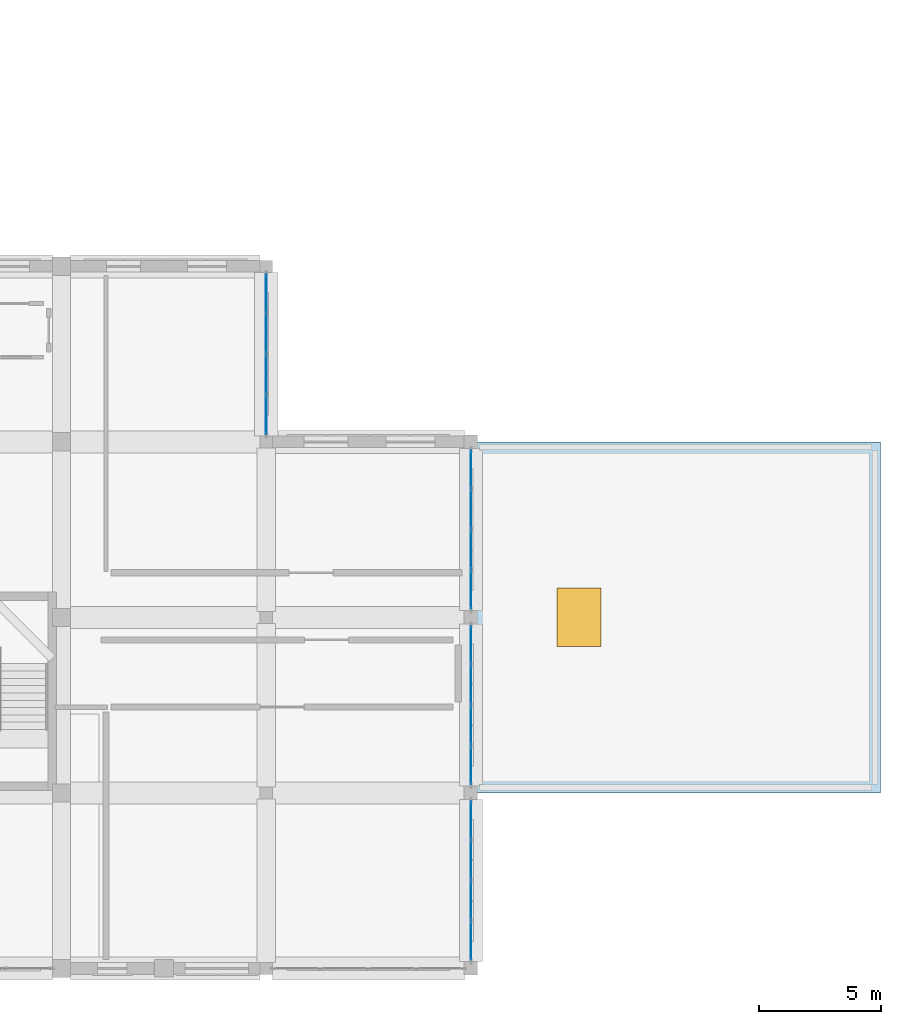
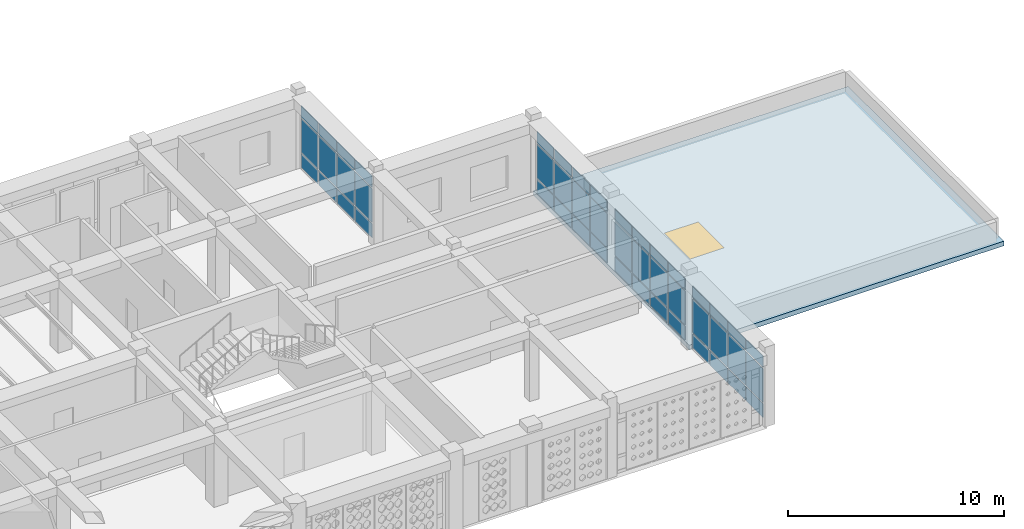
# One storey, part 54 of 111: 48 plates, 1 slab, 1 window, 1 opening, 4 elements without a shape of their own.
"""IFC4 building model written with IfcOpenShell, lengths in metres."""

from ifc_helpers import new_model, si_unit, derived_unit, direction, frame, origin, origin_2d, place, context, subcontext, project, spatial, polyline, rectangle, outline, extrude, material, layer, layer_set, type_object, element, fill, aggregate, save


model = new_model("IFC4")

# Units and contexts
model_context = context("Model", 3, precision=1e-05, world=origin(), true_north=direction((0.0, 1.0)))
body_context = subcontext(model_context, "Body", "Model", "MODEL_VIEW")
ifc_project = project(units=[si_unit("LENGTHUNIT", "METRE"), si_unit("AREAUNIT", "SQUARE_METRE"), si_unit("VOLUMEUNIT", "CUBIC_METRE"), si_unit("PLANEANGLEUNIT", "RADIAN"), si_unit("MASSUNIT", "GRAM", prefix="KILO"), derived_unit("THERMALTRANSMITTANCEUNIT", [(si_unit("POWERUNIT", "WATT"), 1), (si_unit("LENGTHUNIT", "METRE"), -2), (si_unit("THERMODYNAMICTEMPERATUREUNIT", "KELVIN"), -1)])], contexts=[model_context])

# Site, building, storey
site_placement = place(None, origin())
site = spatial("IfcSite", under=ifc_project, at=site_placement, CompositionType="ELEMENT")
building_placement = place(site_placement, origin())
building = spatial("IfcBuilding", under=site, at=building_placement, Name="Veybourne Emporium", CompositionType="ELEMENT")
storey_placement = place(building_placement, frame((0.0, 0.0, 9.89990234375)))
storey = spatial("IfcBuildingStorey", under=building, at=storey_placement, Name="L02", CompositionType="ELEMENT", Elevation=9.89990234375)

# Curtain wall, plates
ifc_material_1 = material(Name="Patinated Architectural Bronze", Category="bronze")
curtain_wall_type_1 = type_object("IfcCurtainWallType", Name="CWSystem_CWS-28", PredefinedType="NOTDEFINED", material=ifc_material_1)
curtain_wall_1_placement = place(storey_placement, origin())
curtain_wall_1 = element("IfcCurtainWall", 1, at=curtain_wall_1_placement, inside=storey, type_object=curtain_wall_type_1, Name="L02 bronze glazed curtain wall CWS-28 (070)", PredefinedType="NOTDEFINED")
ifc_material_2 = material(Name="Low-E Triple Glazing", Category="glass")
ifc_layer_1 = layer(ifc_material_2, 0.028076171875)
ifc_layer_set_1 = layer_set([ifc_layer_1], Name="Low-E Triple Glazing")
plate_type = type_object("IfcPlateType", Name="CWPanel_CW-P1", PredefinedType="CURTAIN_PANEL", material=ifc_layer_set_1)
plate_1_placement = place(storey_placement, frame((142.800048828125, 27.695068359375, 0.070068359375), z_axis=(0.0, 0.0, 1.0), x_axis=(0.0, -1.0, 0.0)))
plate_1 = element("IfcPlate", 2, at=plate_1_placement, type_object=plate_type, Name="CWS-28 panel 1.1", PredefinedType="CURTAIN_PANEL", context=body_context, shape_type="SweptSolid", body=[
    extrude(rectangle(XDim=1.570068359375, YDim=0.028076171875, at=origin_2d()), origin(), (0.0, 0.0, 1.0), 0.794921875),
])
plate_2_placement = place(storey_placement, frame((142.800048828125, 27.695068359375, 0.93505859375), z_axis=(0.0, 0.0, 1.0), x_axis=(0.0, -1.0, 0.0)))
plate_2 = element("IfcPlate", 3, at=plate_2_placement, type_object=plate_type, Name="CWS-28 panel 1.2", PredefinedType="CURTAIN_PANEL", context=body_context, shape_type="SweptSolid", body=[
    extrude(rectangle(XDim=1.570068359375, YDim=0.028076171875, at=origin_2d()), origin(), (0.0, 0.0, 1.0), 1.909912109375),
])
plate_3_placement = place(storey_placement, frame((142.800048828125, 27.695068359375, 2.9150390625), z_axis=(0.0, 0.0, 1.0), x_axis=(0.0, -1.0, 0.0)))
plate_3 = element("IfcPlate", 4, at=plate_3_placement, type_object=plate_type, Name="CWS-28 panel 1.3", PredefinedType="CURTAIN_PANEL", context=body_context, shape_type="SweptSolid", body=[
    extrude(rectangle(XDim=1.570068359375, YDim=0.028076171875, at=origin_2d()), origin(), (0.0, 0.0, 1.0), 0.64501953125),
])
plate_4_placement = place(storey_placement, frame((142.800048828125, 26.03759765625, 0.070068359375), z_axis=(0.0, 0.0, 1.0), x_axis=(0.0, -1.0, 0.0)))
plate_4 = element("IfcPlate", 5, at=plate_4_placement, type_object=plate_type, Name="CWS-28 panel 2.1", PredefinedType="CURTAIN_PANEL", context=body_context, shape_type="SweptSolid", body=[
    extrude(rectangle(XDim=1.60498046875, YDim=0.028076171875, at=origin_2d()), origin(), (0.0, 0.0, 1.0), 0.794921875),
])
plate_5_placement = place(storey_placement, frame((142.800048828125, 26.03759765625, 0.93505859375), z_axis=(0.0, 0.0, 1.0), x_axis=(0.0, -1.0, 0.0)))
plate_5 = element("IfcPlate", 6, at=plate_5_placement, type_object=plate_type, Name="CWS-28 panel 2.2", PredefinedType="CURTAIN_PANEL", context=body_context, shape_type="SweptSolid", body=[
    extrude(rectangle(XDim=1.60498046875, YDim=0.028076171875, at=origin_2d()), origin(), (0.0, 0.0, 1.0), 1.909912109375),
])
plate_6_placement = place(storey_placement, frame((142.800048828125, 26.03759765625, 2.9150390625), z_axis=(0.0, 0.0, 1.0), x_axis=(0.0, -1.0, 0.0)))
plate_6 = element("IfcPlate", 7, at=plate_6_placement, type_object=plate_type, Name="CWS-28 panel 2.3", PredefinedType="CURTAIN_PANEL", context=body_context, shape_type="SweptSolid", body=[
    extrude(rectangle(XDim=1.60498046875, YDim=0.028076171875, at=origin_2d()), origin(), (0.0, 0.0, 1.0), 0.64501953125),
])
plate_7_placement = place(storey_placement, frame((142.800048828125, 24.362548828125, 0.070068359375), z_axis=(0.0, 0.0, 1.0), x_axis=(0.0, -1.0, 0.0)))
plate_7 = element("IfcPlate", 8, at=plate_7_placement, type_object=plate_type, Name="CWS-28 panel 3.1", PredefinedType="CURTAIN_PANEL", context=body_context, shape_type="SweptSolid", body=[
    extrude(rectangle(XDim=1.60498046875, YDim=0.028076171875, at=origin_2d()), origin(), (0.0, 0.0, 1.0), 0.794921875),
])
plate_8_placement = place(storey_placement, frame((142.800048828125, 24.362548828125, 0.93505859375), z_axis=(0.0, 0.0, 1.0), x_axis=(0.0, -1.0, 0.0)))
plate_8 = element("IfcPlate", 9, at=plate_8_placement, type_object=plate_type, Name="CWS-28 panel 3.2", PredefinedType="CURTAIN_PANEL", context=body_context, shape_type="SweptSolid", body=[
    extrude(rectangle(XDim=1.60498046875, YDim=0.028076171875, at=origin_2d()), origin(), (0.0, 0.0, 1.0), 1.909912109375),
])
plate_9_placement = place(storey_placement, frame((142.800048828125, 24.362548828125, 2.9150390625), z_axis=(0.0, 0.0, 1.0), x_axis=(0.0, -1.0, 0.0)))
plate_9 = element("IfcPlate", 10, at=plate_9_placement, type_object=plate_type, Name="CWS-28 panel 3.3", PredefinedType="CURTAIN_PANEL", context=body_context, shape_type="SweptSolid", body=[
    extrude(rectangle(XDim=1.60498046875, YDim=0.028076171875, at=origin_2d()), origin(), (0.0, 0.0, 1.0), 0.64501953125),
])
plate_10_placement = place(storey_placement, frame((142.800048828125, 22.705078125, 0.070068359375), z_axis=(0.0, 0.0, 1.0), x_axis=(0.0, -1.0, 0.0)))
plate_10 = element("IfcPlate", 11, at=plate_10_placement, type_object=plate_type, Name="CWS-28 panel 4.1", PredefinedType="CURTAIN_PANEL", context=body_context, shape_type="SweptSolid", body=[
    extrude(rectangle(XDim=1.570068359375, YDim=0.028076171875, at=origin_2d()), origin(), (0.0, 0.0, 1.0), 0.794921875),
])
plate_11_placement = place(storey_placement, frame((142.800048828125, 22.705078125, 0.93505859375), z_axis=(0.0, 0.0, 1.0), x_axis=(0.0, -1.0, 0.0)))
plate_11 = element("IfcPlate", 12, at=plate_11_placement, type_object=plate_type, Name="CWS-28 panel 4.2", PredefinedType="CURTAIN_PANEL", context=body_context, shape_type="SweptSolid", body=[
    extrude(rectangle(XDim=1.570068359375, YDim=0.028076171875, at=origin_2d()), origin(), (0.0, 0.0, 1.0), 1.909912109375),
])
plate_12_placement = place(storey_placement, frame((142.800048828125, 22.705078125, 2.9150390625), z_axis=(0.0, 0.0, 1.0), x_axis=(0.0, -1.0, 0.0)))
plate_12 = element("IfcPlate", 13, at=plate_12_placement, type_object=plate_type, Name="CWS-28 panel 4.3", PredefinedType="CURTAIN_PANEL", context=body_context, shape_type="SweptSolid", body=[
    extrude(rectangle(XDim=1.570068359375, YDim=0.028076171875, at=origin_2d()), origin(), (0.0, 0.0, 1.0), 0.64501953125),
])
aggregate(curtain_wall_1, [plate_1, plate_2, plate_3, plate_4, plate_5, plate_6, plate_7, plate_8, plate_9, plate_10, plate_11, plate_12])

curtain_wall_type_2 = type_object("IfcCurtainWallType", Name="CWSystem_CWS-02", PredefinedType="NOTDEFINED", material=ifc_material_1)
curtain_wall_2_placement = place(storey_placement, origin())
curtain_wall_2 = element("IfcCurtainWall", 14, at=curtain_wall_2_placement, inside=storey, type_object=curtain_wall_type_2, Name="L02 bronze glazed curtain wall CWS-02 (073)", PredefinedType="NOTDEFINED")
plate_13_placement = place(storey_placement, frame((151.199951171875, 6.074951171875, 0.074951171875), z_axis=(0.0, 0.0, 1.0), x_axis=(0.0, -1.0, 0.0)))
plate_13 = element("IfcPlate", 15, at=plate_13_placement, type_object=plate_type, Name="CWS-02 panel 1.1", PredefinedType="CURTAIN_PANEL", context=body_context, shape_type="SweptSolid", body=[
    extrude(rectangle(XDim=1.550048828125, YDim=0.028076171875, at=origin_2d()), origin(), (0.0, 0.0, 1.0), 0.78759765625),
])
plate_14_placement = place(storey_placement, frame((151.199951171875, 6.074951171875, 0.9375), z_axis=(0.0, 0.0, 1.0), x_axis=(0.0, -1.0, 0.0)))
plate_14 = element("IfcPlate", 16, at=plate_14_placement, type_object=plate_type, Name="CWS-02 panel 1.2", PredefinedType="CURTAIN_PANEL", context=body_context, shape_type="SweptSolid", body=[
    extrude(rectangle(XDim=1.550048828125, YDim=0.028076171875, at=origin_2d()), origin(), (0.0, 0.0, 1.0), 1.905029296875),
])
plate_15_placement = place(storey_placement, frame((151.199951171875, 6.074951171875, 2.91748046875), z_axis=(0.0, 0.0, 1.0), x_axis=(0.0, -1.0, 0.0)))
plate_15 = element("IfcPlate", 17, at=plate_15_placement, type_object=plate_type, Name="CWS-02 panel 1.3", PredefinedType="CURTAIN_PANEL", context=body_context, shape_type="SweptSolid", body=[
    extrude(rectangle(XDim=1.550048828125, YDim=0.028076171875, at=origin_2d()), origin(), (0.0, 0.0, 1.0), 0.637451171875),
])
plate_16_placement = place(storey_placement, frame((151.199951171875, 4.43115234375, 0.074951171875), z_axis=(0.0, 0.0, 1.0), x_axis=(0.0, -1.0, 0.0)))
plate_16 = element("IfcPlate", 18, at=plate_16_placement, type_object=plate_type, Name="CWS-02 panel 2.1", PredefinedType="CURTAIN_PANEL", context=body_context, shape_type="SweptSolid", body=[
    extrude(rectangle(XDim=1.58740234375, YDim=0.028076171875, at=origin_2d()), origin(), (0.0, 0.0, 1.0), 0.78759765625),
])
plate_17_placement = place(storey_placement, frame((151.199951171875, 4.43115234375, 0.9375), z_axis=(0.0, 0.0, 1.0), x_axis=(0.0, -1.0, 0.0)))
plate_17 = element("IfcPlate", 19, at=plate_17_placement, type_object=plate_type, Name="CWS-02 panel 2.2", PredefinedType="CURTAIN_PANEL", context=body_context, shape_type="SweptSolid", body=[
    extrude(rectangle(XDim=1.58740234375, YDim=0.028076171875, at=origin_2d()), origin(), (0.0, 0.0, 1.0), 1.905029296875),
])
plate_18_placement = place(storey_placement, frame((151.199951171875, 4.43115234375, 2.91748046875), z_axis=(0.0, 0.0, 1.0), x_axis=(0.0, -1.0, 0.0)))
plate_18 = element("IfcPlate", 20, at=plate_18_placement, type_object=plate_type, Name="CWS-02 panel 2.3", PredefinedType="CURTAIN_PANEL", context=body_context, shape_type="SweptSolid", body=[
    extrude(rectangle(XDim=1.58740234375, YDim=0.028076171875, at=origin_2d()), origin(), (0.0, 0.0, 1.0), 0.637451171875),
])
plate_19_placement = place(storey_placement, frame((151.199951171875, 2.768798828125, 0.074951171875), z_axis=(0.0, 0.0, 1.0), x_axis=(0.0, -1.0, 0.0)))
plate_19 = element("IfcPlate", 21, at=plate_19_placement, type_object=plate_type, Name="CWS-02 panel 3.1", PredefinedType="CURTAIN_PANEL", context=body_context, shape_type="SweptSolid", body=[
    extrude(rectangle(XDim=1.58740234375, YDim=0.028076171875, at=origin_2d()), origin(), (0.0, 0.0, 1.0), 0.78759765625),
])
plate_20_placement = place(storey_placement, frame((151.199951171875, 2.768798828125, 0.9375), z_axis=(0.0, 0.0, 1.0), x_axis=(0.0, -1.0, 0.0)))
plate_20 = element("IfcPlate", 22, at=plate_20_placement, type_object=plate_type, Name="CWS-02 panel 3.2", PredefinedType="CURTAIN_PANEL", context=body_context, shape_type="SweptSolid", body=[
    extrude(rectangle(XDim=1.58740234375, YDim=0.028076171875, at=origin_2d()), origin(), (0.0, 0.0, 1.0), 1.905029296875),
])
plate_21_placement = place(storey_placement, frame((151.199951171875, 2.768798828125, 2.91748046875), z_axis=(0.0, 0.0, 1.0), x_axis=(0.0, -1.0, 0.0)))
plate_21 = element("IfcPlate", 23, at=plate_21_placement, type_object=plate_type, Name="CWS-02 panel 3.3", PredefinedType="CURTAIN_PANEL", context=body_context, shape_type="SweptSolid", body=[
    extrude(rectangle(XDim=1.58740234375, YDim=0.028076171875, at=origin_2d()), origin(), (0.0, 0.0, 1.0), 0.637451171875),
])
plate_22_placement = place(storey_placement, frame((151.199951171875, 1.125, 0.074951171875), z_axis=(0.0, 0.0, 1.0), x_axis=(0.0, -1.0, 0.0)))
plate_22 = element("IfcPlate", 24, at=plate_22_placement, type_object=plate_type, Name="CWS-02 panel 4.1", PredefinedType="CURTAIN_PANEL", context=body_context, shape_type="SweptSolid", body=[
    extrude(rectangle(XDim=1.550048828125, YDim=0.028076171875, at=origin_2d()), origin(), (0.0, 0.0, 1.0), 0.78759765625),
])
plate_23_placement = place(storey_placement, frame((151.199951171875, 1.125, 0.9375), z_axis=(0.0, 0.0, 1.0), x_axis=(0.0, -1.0, 0.0)))
plate_23 = element("IfcPlate", 25, at=plate_23_placement, type_object=plate_type, Name="CWS-02 panel 4.2", PredefinedType="CURTAIN_PANEL", context=body_context, shape_type="SweptSolid", body=[
    extrude(rectangle(XDim=1.550048828125, YDim=0.028076171875, at=origin_2d()), origin(), (0.0, 0.0, 1.0), 1.905029296875),
])
plate_24_placement = place(storey_placement, frame((151.199951171875, 1.125, 2.91748046875), z_axis=(0.0, 0.0, 1.0), x_axis=(0.0, -1.0, 0.0)))
plate_24 = element("IfcPlate", 26, at=plate_24_placement, type_object=plate_type, Name="CWS-02 panel 4.3", PredefinedType="CURTAIN_PANEL", context=body_context, shape_type="SweptSolid", body=[
    extrude(rectangle(XDim=1.550048828125, YDim=0.028076171875, at=origin_2d()), origin(), (0.0, 0.0, 1.0), 0.637451171875),
])
aggregate(curtain_wall_2, [plate_13, plate_14, plate_15, plate_16, plate_17, plate_18, plate_19, plate_20, plate_21, plate_22, plate_23, plate_24])

curtain_wall_type_3 = type_object("IfcCurtainWallType", Name="CWSystem_CWS-03", PredefinedType="NOTDEFINED", material=ifc_material_1)
curtain_wall_3_placement = place(storey_placement, origin())
curtain_wall_3 = element("IfcCurtainWall", 27, at=curtain_wall_3_placement, inside=storey, type_object=curtain_wall_type_3, Name="L02 bronze glazed curtain wall CWS-03 (074)", PredefinedType="NOTDEFINED")
plate_25_placement = place(storey_placement, frame((151.199951171875, 13.274169921875, 0.078125), z_axis=(0.0, 0.0, 1.0), x_axis=(0.0, -1.0, 0.0)))
plate_25 = element("IfcPlate", 28, at=plate_25_placement, type_object=plate_type, Name="CWS-03 panel 1.1", PredefinedType="CURTAIN_PANEL", context=body_context, shape_type="SweptSolid", body=[
    extrude(rectangle(XDim=1.54541015625, YDim=0.028076171875, at=origin_2d()), origin(), (0.0, 0.0, 1.0), 0.782958984375),
])
plate_26_placement = place(storey_placement, frame((151.199951171875, 13.274169921875, 0.93896484375), z_axis=(0.0, 0.0, 1.0), x_axis=(0.0, -1.0, 0.0)))
plate_26 = element("IfcPlate", 29, at=plate_26_placement, type_object=plate_type, Name="CWS-03 panel 1.2", PredefinedType="CURTAIN_PANEL", context=body_context, shape_type="SweptSolid", body=[
    extrude(rectangle(XDim=1.54541015625, YDim=0.028076171875, at=origin_2d()), origin(), (0.0, 0.0, 1.0), 1.902099609375),
])
plate_27_placement = place(storey_placement, frame((151.199951171875, 13.274169921875, 2.9189453125), z_axis=(0.0, 0.0, 1.0), x_axis=(0.0, -1.0, 0.0)))
plate_27 = element("IfcPlate", 30, at=plate_27_placement, type_object=plate_type, Name="CWS-03 panel 1.3", PredefinedType="CURTAIN_PANEL", context=body_context, shape_type="SweptSolid", body=[
    extrude(rectangle(XDim=1.54541015625, YDim=0.028076171875, at=origin_2d()), origin(), (0.0, 0.0, 1.0), 0.633056640625),
])
plate_28_placement = place(storey_placement, frame((151.199951171875, 11.63134765625, 0.078125), z_axis=(0.0, 0.0, 1.0), x_axis=(0.0, -1.0, 0.0)))
plate_28 = element("IfcPlate", 31, at=plate_28_placement, type_object=plate_type, Name="CWS-03 panel 2.1", PredefinedType="CURTAIN_PANEL", context=body_context, shape_type="SweptSolid", body=[
    extrude(rectangle(XDim=1.58447265625, YDim=0.028076171875, at=origin_2d()), origin(), (0.0, 0.0, 1.0), 0.782958984375),
])
plate_29_placement = place(storey_placement, frame((151.199951171875, 11.63134765625, 0.93896484375), z_axis=(0.0, 0.0, 1.0), x_axis=(0.0, -1.0, 0.0)))
plate_29 = element("IfcPlate", 32, at=plate_29_placement, type_object=plate_type, Name="CWS-03 panel 2.2", PredefinedType="CURTAIN_PANEL", context=body_context, shape_type="SweptSolid", body=[
    extrude(rectangle(XDim=1.58447265625, YDim=0.028076171875, at=origin_2d()), origin(), (0.0, 0.0, 1.0), 1.902099609375),
])
plate_30_placement = place(storey_placement, frame((151.199951171875, 11.63134765625, 2.9189453125), z_axis=(0.0, 0.0, 1.0), x_axis=(0.0, -1.0, 0.0)))
plate_30 = element("IfcPlate", 33, at=plate_30_placement, type_object=plate_type, Name="CWS-03 panel 2.3", PredefinedType="CURTAIN_PANEL", context=body_context, shape_type="SweptSolid", body=[
    extrude(rectangle(XDim=1.58447265625, YDim=0.028076171875, at=origin_2d()), origin(), (0.0, 0.0, 1.0), 0.633056640625),
])
plate_31_placement = place(storey_placement, frame((151.199951171875, 9.96875, 0.078125), z_axis=(0.0, 0.0, 1.0), x_axis=(0.0, -1.0, 0.0)))
plate_31 = element("IfcPlate", 34, at=plate_31_placement, type_object=plate_type, Name="CWS-03 panel 3.1", PredefinedType="CURTAIN_PANEL", context=body_context, shape_type="SweptSolid", body=[
    extrude(rectangle(XDim=1.58447265625, YDim=0.028076171875, at=origin_2d()), origin(), (0.0, 0.0, 1.0), 0.782958984375),
])
plate_32_placement = place(storey_placement, frame((151.199951171875, 9.96875, 0.93896484375), z_axis=(0.0, 0.0, 1.0), x_axis=(0.0, -1.0, 0.0)))
plate_32 = element("IfcPlate", 35, at=plate_32_placement, type_object=plate_type, Name="CWS-03 panel 3.2", PredefinedType="CURTAIN_PANEL", context=body_context, shape_type="SweptSolid", body=[
    extrude(rectangle(XDim=1.58447265625, YDim=0.028076171875, at=origin_2d()), origin(), (0.0, 0.0, 1.0), 1.902099609375),
])
plate_33_placement = place(storey_placement, frame((151.199951171875, 9.96875, 2.9189453125), z_axis=(0.0, 0.0, 1.0), x_axis=(0.0, -1.0, 0.0)))
plate_33 = element("IfcPlate", 36, at=plate_33_placement, type_object=plate_type, Name="CWS-03 panel 3.3", PredefinedType="CURTAIN_PANEL", context=body_context, shape_type="SweptSolid", body=[
    extrude(rectangle(XDim=1.58447265625, YDim=0.028076171875, at=origin_2d()), origin(), (0.0, 0.0, 1.0), 0.633056640625),
])
plate_34_placement = place(storey_placement, frame((151.199951171875, 8.32568359375, 0.078125), z_axis=(0.0, 0.0, 1.0), x_axis=(0.0, -1.0, 0.0)))
plate_34 = element("IfcPlate", 37, at=plate_34_placement, type_object=plate_type, Name="CWS-03 panel 4.1", PredefinedType="CURTAIN_PANEL", context=body_context, shape_type="SweptSolid", body=[
    extrude(rectangle(XDim=1.54541015625, YDim=0.028076171875, at=origin_2d()), origin(), (0.0, 0.0, 1.0), 0.782958984375),
])
plate_35_placement = place(storey_placement, frame((151.199951171875, 8.32568359375, 0.93896484375), z_axis=(0.0, 0.0, 1.0), x_axis=(0.0, -1.0, 0.0)))
plate_35 = element("IfcPlate", 38, at=plate_35_placement, type_object=plate_type, Name="CWS-03 panel 4.2", PredefinedType="CURTAIN_PANEL", context=body_context, shape_type="SweptSolid", body=[
    extrude(rectangle(XDim=1.54541015625, YDim=0.028076171875, at=origin_2d()), origin(), (0.0, 0.0, 1.0), 1.902099609375),
])
plate_36_placement = place(storey_placement, frame((151.199951171875, 8.32568359375, 2.9189453125), z_axis=(0.0, 0.0, 1.0), x_axis=(0.0, -1.0, 0.0)))
plate_36 = element("IfcPlate", 39, at=plate_36_placement, type_object=plate_type, Name="CWS-03 panel 4.3", PredefinedType="CURTAIN_PANEL", context=body_context, shape_type="SweptSolid", body=[
    extrude(rectangle(XDim=1.54541015625, YDim=0.028076171875, at=origin_2d()), origin(), (0.0, 0.0, 1.0), 0.633056640625),
])
aggregate(curtain_wall_3, [plate_25, plate_26, plate_27, plate_28, plate_29, plate_30, plate_31, plate_32, plate_33, plate_34, plate_35, plate_36])

curtain_wall_type_4 = type_object("IfcCurtainWallType", Name="CWSystem_CWS-04", PredefinedType="NOTDEFINED", material=ifc_material_1)
curtain_wall_4_placement = place(storey_placement, origin())
curtain_wall_4 = element("IfcCurtainWall", 40, at=curtain_wall_4_placement, inside=storey, type_object=curtain_wall_type_4, Name="L02 bronze glazed curtain wall CWS-04 (075)", PredefinedType="NOTDEFINED")
plate_37_placement = place(storey_placement, frame((151.199951171875, 20.476318359375, 0.070068359375), z_axis=(0.0, 0.0, 1.0), x_axis=(0.0, -1.0, 0.0)))
plate_37 = element("IfcPlate", 41, at=plate_37_placement, type_object=plate_type, Name="CWS-04 panel 1.1", PredefinedType="CURTAIN_PANEL", context=body_context, shape_type="SweptSolid", body=[
    extrude(rectangle(XDim=1.5576171875, YDim=0.028076171875, at=origin_2d()), origin(), (0.0, 0.0, 1.0), 0.794921875),
])
plate_38_placement = place(storey_placement, frame((151.199951171875, 20.476318359375, 0.93505859375), z_axis=(0.0, 0.0, 1.0), x_axis=(0.0, -1.0, 0.0)))
plate_38 = element("IfcPlate", 42, at=plate_38_placement, type_object=plate_type, Name="CWS-04 panel 1.2", PredefinedType="CURTAIN_PANEL", context=body_context, shape_type="SweptSolid", body=[
    extrude(rectangle(XDim=1.5576171875, YDim=0.028076171875, at=origin_2d()), origin(), (0.0, 0.0, 1.0), 1.909912109375),
])
plate_39_placement = place(storey_placement, frame((151.199951171875, 20.476318359375, 2.9150390625), z_axis=(0.0, 0.0, 1.0), x_axis=(0.0, -1.0, 0.0)))
plate_39 = element("IfcPlate", 43, at=plate_39_placement, type_object=plate_type, Name="CWS-04 panel 1.3", PredefinedType="CURTAIN_PANEL", context=body_context, shape_type="SweptSolid", body=[
    extrude(rectangle(XDim=1.5576171875, YDim=0.028076171875, at=origin_2d()), origin(), (0.0, 0.0, 1.0), 0.64501953125),
])
plate_40_placement = place(storey_placement, frame((151.199951171875, 18.831298828125, 0.070068359375), z_axis=(0.0, 0.0, 1.0), x_axis=(0.0, -1.0, 0.0)))
plate_40 = element("IfcPlate", 44, at=plate_40_placement, type_object=plate_type, Name="CWS-04 panel 2.1", PredefinedType="CURTAIN_PANEL", context=body_context, shape_type="SweptSolid", body=[
    extrude(rectangle(XDim=1.592529296875, YDim=0.028076171875, at=origin_2d()), origin(), (0.0, 0.0, 1.0), 0.794921875),
])
plate_41_placement = place(storey_placement, frame((151.199951171875, 18.831298828125, 0.93505859375), z_axis=(0.0, 0.0, 1.0), x_axis=(0.0, -1.0, 0.0)))
plate_41 = element("IfcPlate", 45, at=plate_41_placement, type_object=plate_type, Name="CWS-04 panel 2.2", PredefinedType="CURTAIN_PANEL", context=body_context, shape_type="SweptSolid", body=[
    extrude(rectangle(XDim=1.592529296875, YDim=0.028076171875, at=origin_2d()), origin(), (0.0, 0.0, 1.0), 1.909912109375),
])
plate_42_placement = place(storey_placement, frame((151.199951171875, 18.831298828125, 2.9150390625), z_axis=(0.0, 0.0, 1.0), x_axis=(0.0, -1.0, 0.0)))
plate_42 = element("IfcPlate", 46, at=plate_42_placement, type_object=plate_type, Name="CWS-04 panel 2.3", PredefinedType="CURTAIN_PANEL", context=body_context, shape_type="SweptSolid", body=[
    extrude(rectangle(XDim=1.592529296875, YDim=0.028076171875, at=origin_2d()), origin(), (0.0, 0.0, 1.0), 0.64501953125),
])
plate_43_placement = place(storey_placement, frame((151.199951171875, 17.168701171875, 0.070068359375), z_axis=(0.0, 0.0, 1.0), x_axis=(0.0, -1.0, 0.0)))
plate_43 = element("IfcPlate", 47, at=plate_43_placement, type_object=plate_type, Name="CWS-04 panel 3.1", PredefinedType="CURTAIN_PANEL", context=body_context, shape_type="SweptSolid", body=[
    extrude(rectangle(XDim=1.592529296875, YDim=0.028076171875, at=origin_2d()), origin(), (0.0, 0.0, 1.0), 0.794921875),
])
plate_44_placement = place(storey_placement, frame((151.199951171875, 17.168701171875, 0.93505859375), z_axis=(0.0, 0.0, 1.0), x_axis=(0.0, -1.0, 0.0)))
plate_44 = element("IfcPlate", 48, at=plate_44_placement, type_object=plate_type, Name="CWS-04 panel 3.2", PredefinedType="CURTAIN_PANEL", context=body_context, shape_type="SweptSolid", body=[
    extrude(rectangle(XDim=1.592529296875, YDim=0.028076171875, at=origin_2d()), origin(), (0.0, 0.0, 1.0), 1.909912109375),
])
plate_45_placement = place(storey_placement, frame((151.199951171875, 17.168701171875, 2.9150390625), z_axis=(0.0, 0.0, 1.0), x_axis=(0.0, -1.0, 0.0)))
plate_45 = element("IfcPlate", 49, at=plate_45_placement, type_object=plate_type, Name="CWS-04 panel 3.3", PredefinedType="CURTAIN_PANEL", context=body_context, shape_type="SweptSolid", body=[
    extrude(rectangle(XDim=1.592529296875, YDim=0.028076171875, at=origin_2d()), origin(), (0.0, 0.0, 1.0), 0.64501953125),
])
plate_46_placement = place(storey_placement, frame((151.199951171875, 15.523681640625, 0.070068359375), z_axis=(0.0, 0.0, 1.0), x_axis=(0.0, -1.0, 0.0)))
plate_46 = element("IfcPlate", 50, at=plate_46_placement, type_object=plate_type, Name="CWS-04 panel 4.1", PredefinedType="CURTAIN_PANEL", context=body_context, shape_type="SweptSolid", body=[
    extrude(rectangle(XDim=1.5576171875, YDim=0.028076171875, at=origin_2d()), origin(), (0.0, 0.0, 1.0), 0.794921875),
])
plate_47_placement = place(storey_placement, frame((151.199951171875, 15.523681640625, 0.93505859375), z_axis=(0.0, 0.0, 1.0), x_axis=(0.0, -1.0, 0.0)))
plate_47 = element("IfcPlate", 51, at=plate_47_placement, type_object=plate_type, Name="CWS-04 panel 4.2", PredefinedType="CURTAIN_PANEL", context=body_context, shape_type="SweptSolid", body=[
    extrude(rectangle(XDim=1.5576171875, YDim=0.028076171875, at=origin_2d()), origin(), (0.0, 0.0, 1.0), 1.909912109375),
])
plate_48_placement = place(storey_placement, frame((151.199951171875, 15.523681640625, 2.9150390625), z_axis=(0.0, 0.0, 1.0), x_axis=(0.0, -1.0, 0.0)))
plate_48 = element("IfcPlate", 52, at=plate_48_placement, type_object=plate_type, Name="CWS-04 panel 4.3", PredefinedType="CURTAIN_PANEL", context=body_context, shape_type="SweptSolid", body=[
    extrude(rectangle(XDim=1.5576171875, YDim=0.028076171875, at=origin_2d()), origin(), (0.0, 0.0, 1.0), 0.64501953125),
])
aggregate(curtain_wall_4, [plate_37, plate_38, plate_39, plate_40, plate_41, plate_42, plate_43, plate_44, plate_45, plate_46, plate_47, plate_48])

# Slab, opening, window
ifc_material_3 = material(Name="Concrete C32/40", Category="concrete")
ifc_layer_2 = layer(ifc_material_3, 0.260009765625)
ifc_layer_set_2 = layer_set([ifc_layer_2], Name="Concrete C32/40")
slab_type = type_object("IfcSlabType", Name="Slab_RS-01", PredefinedType="ROOF", material=ifc_layer_set_2)
slab_placement = place(storey_placement, frame((0.0, 0.0, -0.260009765625)))
slab = element("IfcSlab", 53, at=slab_placement, inside=storey, type_object=slab_type, Name="L02 flat roof slab 3", PredefinedType="ROOF", context=body_context, shape_type="SweptSolid", body=[
    extrude(outline(polyline([(151.199951171875, 7.199951171875), (151.199951171875, 14.39990234375), (151.199951171875, 21.60009765625), (159.60009765625, 21.60009765625), (168.0, 21.60009765625), (168.0, 14.39990234375), (168.0, 7.199951171875), (159.60009765625, 7.199951171875), (151.199951171875, 7.199951171875)])), origin(), (0.0, 0.0, 1.0), 0.260009765625),
])
opening_placement = place(slab_placement, frame((155.625, 14.39990234375, -0.02001953125)))
opening = element("IfcOpeningElement", 54, at=opening_placement, cuts=slab, Name="Opening RH-04", PredefinedType="OPENING", context=body_context, shape_type="SweptSolid", body=[
    extrude(rectangle(XDim=1.800048828125, YDim=2.39990234375, at=origin_2d()), origin(), (0.0, 0.0, 1.0), 0.300048828125),
])
ifc_material_4 = material(Name="Solar Control Laminated Glass", Category="glass")
window_type = type_object("IfcWindowType", Name="Hatch_RH-04", PartitioningType="SINGLE_PANEL", PredefinedType="SKYLIGHT", material=ifc_material_4)
window_placement = place(slab_placement, frame((155.625, 14.39990234375, 0.2099609375)))
window = element("IfcWindow", 55, at=window_placement, inside=storey, type_object=window_type, Name="L02 roof access skylight hatch RH-04", OverallHeight=2.39990234375, OverallWidth=1.800048828125, PartitioningType="SINGLE_PANEL", PredefinedType="SKYLIGHT", context=body_context, shape_type="SweptSolid", body=[
    extrude(rectangle(XDim=1.800048828125, YDim=2.39990234375, at=origin_2d()), origin(), (0.0, 0.0, 1.0), 0.050048828125),
])
fill(opening, window)

save(model, "model.ifc")
